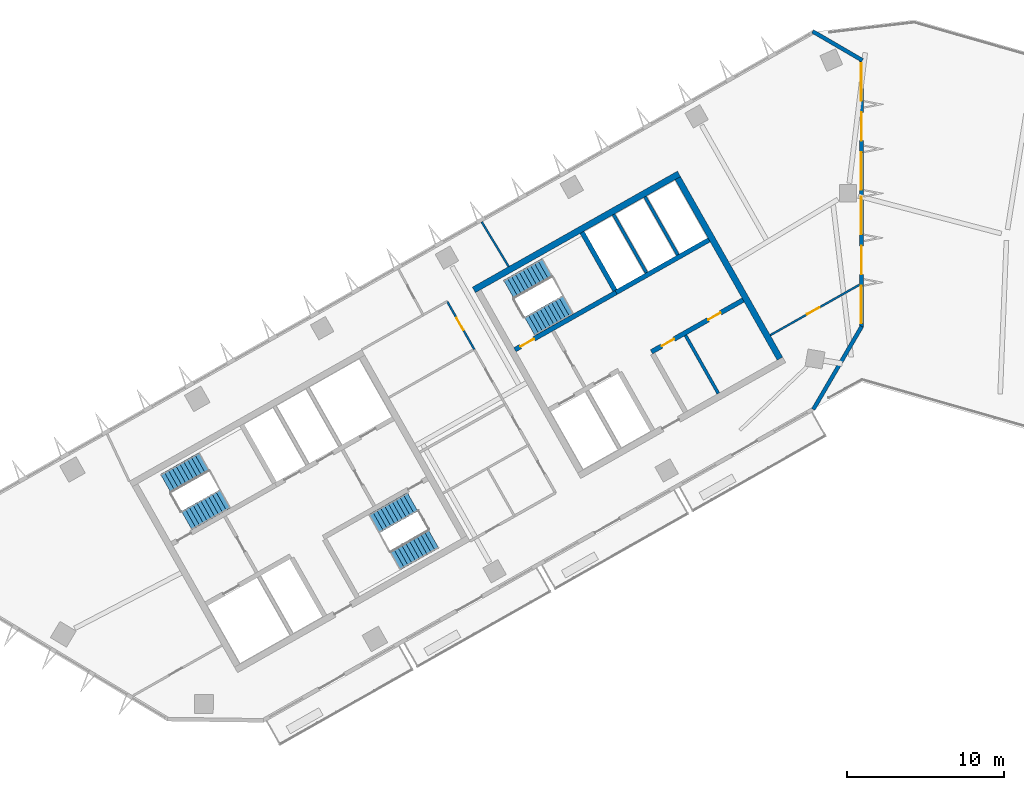
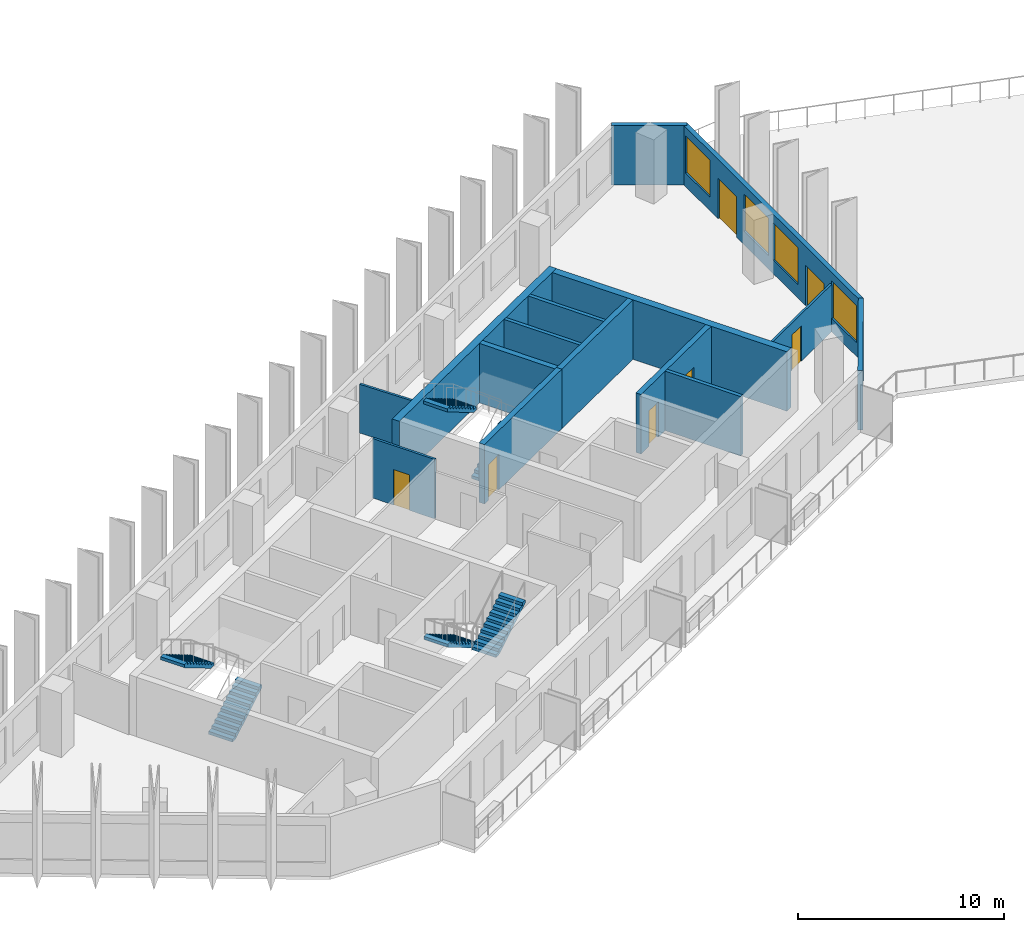
# One storey, part 5 of 8: 15 walls, 7 doors, 6 stair flights, 4 windows, 11 openings, 3 elements without a shape of their own.
"""IFC4 building model written with IfcOpenShell, lengths in metres."""

from ifc_helpers import new_model, si_unit, direction, frame, frame_2d, origin, place, context, subcontext, project, spatial, polyline, rectangle, outline, extrude, material, layer, layer_set, type_object, element, fill, aggregate, save


model = new_model("IFC4")

# Units and contexts
model_context = context("Model", 3, precision=1e-05, world=origin(), true_north=direction((0.0, 1.0)))
body_context = subcontext(model_context, "Body", "Model", "MODEL_VIEW")
ifc_project = project(units=[si_unit("LENGTHUNIT", "METRE"), si_unit("AREAUNIT", "SQUARE_METRE"), si_unit("VOLUMEUNIT", "CUBIC_METRE"), si_unit("PLANEANGLEUNIT", "RADIAN"), si_unit("MASSUNIT", "GRAM", prefix="KILO")], contexts=[model_context])

# Site, building, storey
site_placement = place(None, origin())
site = spatial("IfcSite", under=ifc_project, at=site_placement, CompositionType="ELEMENT")
building_placement = place(site_placement, origin())
building = spatial("IfcBuilding", under=site, at=building_placement, Name="Binnacle Exchange Tower", CompositionType="ELEMENT")
storey_placement = place(building_placement, frame((0.0, 0.0, 262.699951171875)))
storey = spatial("IfcBuildingStorey", under=building, at=storey_placement, Name="L58", CompositionType="ELEMENT", Elevation=262.699951171875)

# Wall
ifc_material_1 = material(Name="Gypsum partition fire rated")
ifc_layer_1 = layer(ifc_material_1, 0.199951171875)
ifc_layer_set_1 = layer_set([ifc_layer_1], Name="Core partition 200")
wall_type_1 = type_object("IfcWallType", Name="Core partition 200", PredefinedType="PARTITIONING", material=ifc_layer_set_1)
wall_1_placement = place(storey_placement, frame((-11.201904296875, 50.96240234375, 0.0), z_axis=(0.0, 0.0, 1.0), x_axis=(0.492441437811, -0.870345580977, 0.0)))
element("IfcWall", 1, at=wall_1_placement, inside=storey, type_object=wall_type_1, Name="Core wall CRWC19", PredefinedType="PARTITIONING", context=body_context, shape_type="SweptSolid", body=[
    extrude(rectangle(XDim=4.250244140625, YDim=0.199951171875, at=frame_2d((2.125, 0.0))), origin(), (0.0, 0.0, 1.0), 3.52001953125),
])

# Wall, openings, doors
ifc_material_2 = material(Name="Concrete C70/85", Category="concrete")
ifc_layer_2 = layer(ifc_material_2, 0.300048828125)
ifc_layer_set_2 = layer_set([ifc_layer_2], Name="Core wall - front 300")
wall_type_2 = type_object("IfcWallType", Name="Core wall - front 300", PredefinedType="SOLIDWALL", material=ifc_layer_set_2)
wall_2_placement = place(storey_placement, frame((-13.364501953125, 49.910888671875, 0.0), z_axis=(0.0, 0.0, 1.0), x_axis=(0.870347618718, 0.492437836272, 0.0)))
wall_2 = element("IfcWall", 2, at=wall_2_placement, inside=storey, type_object=wall_type_2, Name="Core wall CRWC3", PredefinedType="SOLIDWALL", context=body_context, shape_type="SweptSolid", body=[
    extrude(rectangle(XDim=6.699951171875, YDim=0.300048828125, at=frame_2d((3.35009765625, 0.0))), origin(), (0.0, 0.0, 1.0), 3.52001953125),
])
opening_1_placement = place(wall_2_placement, frame((0.75, 0.0, 0.0)))
opening_1 = element("IfcOpeningElement", 3, at=opening_1_placement, cuts=wall_2, Name="Opening DC18", PredefinedType="OPENING", context=body_context, shape_type="SweptSolid", body=[
    extrude(rectangle(XDim=0.89990234375, YDim=2.10009765625, at=frame_2d((0.449951171875, 1.050048828125))), frame((0.0, 0.159912109375, 0.0), z_axis=(0.0, -1.0, 0.0), x_axis=(1.0, 0.0, 0.0)), (0.0, 0.0, 1.0), 0.320068359375),
])
opening_2_placement = place(wall_2_placement, frame((4.14990234375, 0.0, 0.0)))
opening_2 = element("IfcOpeningElement", 4, at=opening_2_placement, cuts=wall_2, Name="Opening DC19", PredefinedType="OPENING", context=body_context, shape_type="SweptSolid", body=[
    extrude(rectangle(XDim=0.89990234375, YDim=2.10009765625, at=frame_2d((0.449951171875, 1.050048828125))), frame((0.0, 0.159912109375, 0.0), z_axis=(0.0, -1.0, 0.0), x_axis=(1.0, 0.0, 0.0)), (0.0, 0.0, 1.0), 0.320068359375),
])
ifc_material_3 = material(Name="Steel door leaf", Category="steel")
door_type_1 = type_object("IfcDoorType", Name="Fire door 900", OperationType="NOTDEFINED", PredefinedType="DOOR", material=ifc_material_3)
door_1_placement = place(opening_1_placement, frame((0.89990234375, 0.0, 0.0), z_axis=(0.0, 0.0, 1.0), x_axis=(-1.0, 0.0, 0.0)))
door_1 = element("IfcDoor", 5, at=door_1_placement, inside=storey, type_object=door_type_1, Name="Core room door FIBRE ENTRY ROOM", OperationType="SINGLE_SWING_RIGHT", OverallHeight=2.10009765625, OverallWidth=0.89990234375, PredefinedType="DOOR", context=body_context, shape_type="SweptSolid", body=[
    extrude(rectangle(XDim=0.89990234375, YDim=2.10009765625, at=frame_2d((0.449951171875, 1.050048828125))), frame((0.0, 0.02490234375, 0.0), z_axis=(0.0, -1.0, 0.0), x_axis=(1.0, 0.0, 0.0)), (0.0, 0.0, 1.0), 0.050048828125),
])
fill(opening_1, door_1)
door_2_placement = place(opening_2_placement, frame((0.89990234375, 0.0, 0.0), z_axis=(0.0, 0.0, 1.0), x_axis=(-1.0, 0.0, 0.0)))
door_2 = element("IfcDoor", 6, at=door_2_placement, inside=storey, type_object=door_type_1, Name="Core room door TELECOM RISER ROOM", OperationType="SINGLE_SWING_LEFT", OverallHeight=2.10009765625, OverallWidth=0.89990234375, PredefinedType="DOOR", context=body_context, shape_type="SweptSolid", body=[
    extrude(rectangle(XDim=0.89990234375, YDim=2.10009765625, at=frame_2d((0.449951171875, 1.050048828125))), frame((0.0, 0.02490234375, 0.0), z_axis=(0.0, -1.0, 0.0), x_axis=(1.0, 0.0, 0.0)), (0.0, 0.0, 1.0), 0.050048828125),
])
fill(opening_2, door_2)

# Walls
wall_3_placement = place(storey_placement, frame((-15.6181640625, 53.69140625, 0.0), z_axis=(0.0, 0.0, 1.0), x_axis=(0.870362830851, 0.492410948978, 0.0)))
element("IfcWall", 7, at=wall_3_placement, inside=storey, type_object=wall_type_2, Name="Core wall CRWC5", PredefinedType="SOLIDWALL", context=body_context, shape_type="SweptSolid", body=[
    extrude(rectangle(XDim=6.800048828125, YDim=0.300048828125, at=frame_2d((3.39990234375, 0.0))), origin(), (0.0, 0.0, 1.0), 3.52001953125),
])
ifc_layer_3 = layer(ifc_material_2, 0.39990234375)
ifc_layer_set_3 = layer_set([ifc_layer_3], Name="Core wall - outer 400")
wall_type_3 = type_object("IfcWallType", Name="Core wall - outer 400", PredefinedType="SOLIDWALL", material=ifc_layer_set_3)
wall_4_placement = place(storey_placement, frame((-24.672119140625, 53.85400390625, 0.0), z_axis=(0.0, 0.0, 1.0), x_axis=(0.870353598469, 0.492427267353, 0.0)))
element("IfcWall", 8, at=wall_4_placement, inside=storey, type_object=wall_type_3, Name="Core wall CRWC6", PredefinedType="SOLIDWALL", context=body_context, shape_type="SweptSolid", body=[
    extrude(rectangle(XDim=15.000244140625, YDim=0.39990234375, at=frame_2d((7.5, 0.0))), origin(), (0.0, 0.0, 1.0), 3.52001953125),
])
wall_5_placement = place(storey_placement, frame((-11.6923828125, 60.968017578125, 0.0), z_axis=(0.0, 0.0, 1.0), x_axis=(0.492421663121, -0.870356769198, 0.0)))
element("IfcWall", 9, at=wall_5_placement, inside=storey, type_object=wall_type_3, Name="Core wall CRWC24", PredefinedType="SOLIDWALL", context=body_context, shape_type="SweptSolid", body=[
    extrude(rectangle(XDim=13.199951171875, YDim=0.39990234375, at=frame_2d((6.60009765625, 0.0))), origin(), (0.0, 0.0, 1.0), 3.52001953125),
])

# Wall, opening, door
ifc_layer_4 = layer(ifc_material_2, 0.300048828125)
ifc_layer_set_4 = layer_set([ifc_layer_4], Name="Core wall - stair 300")
wall_type_4 = type_object("IfcWallType", Name="Core wall - stair 300", PredefinedType="SOLIDWALL", material=ifc_layer_set_4)
wall_6_placement = place(storey_placement, frame((-22.058837890625, 50.04736328125, 0.0), z_axis=(0.0, 0.0, 1.0), x_axis=(0.87035077051, 0.49243226567, 0.0)))
wall_6 = element("IfcWall", 10, at=wall_6_placement, inside=storey, type_object=wall_type_4, Name="Core wall CRWC4", PredefinedType="SOLIDWALL", context=body_context, shape_type="SweptSolid", body=[
    extrude(rectangle(XDim=7.400146484375, YDim=0.300048828125, at=frame_2d((3.7001953125, 0.0))), origin(), (0.0, 0.0, 1.0), 3.52001953125),
])
opening_3_placement = place(wall_6_placement, frame((0.39990234375, 0.0, 0.0)))
opening_3 = element("IfcOpeningElement", 11, at=opening_3_placement, cuts=wall_6, Name="Opening DC1", PredefinedType="OPENING", context=body_context, shape_type="SweptSolid", body=[
    extrude(rectangle(XDim=1.0, YDim=2.10009765625, at=frame_2d((0.5, 1.050048828125))), frame((0.0, 0.159912109375, 0.0), z_axis=(0.0, -1.0, 0.0), x_axis=(1.0, 0.0, 0.0)), (0.0, 0.0, 1.0), 0.320068359375),
])
door_type_2 = type_object("IfcDoorType", Name="Fire door 1000", OperationType="NOTDEFINED", PredefinedType="DOOR", material=ifc_material_3)
door_3_placement = place(opening_3_placement, origin())
door_3 = element("IfcDoor", 12, at=door_3_placement, inside=storey, type_object=door_type_2, Name="Stair door ST-C1", OperationType="SINGLE_SWING_LEFT", OverallHeight=2.10009765625, OverallWidth=1.0, PredefinedType="DOOR", context=body_context, shape_type="SweptSolid", body=[
    extrude(rectangle(XDim=1.0, YDim=2.10009765625, at=frame_2d((0.5, 1.050048828125))), frame((0.0, 0.02490234375, 0.0), z_axis=(0.0, -1.0, 0.0), x_axis=(1.0, 0.0, 0.0)), (0.0, 0.0, 1.0), 0.050048828125),
])
fill(opening_3, door_3)

# Walls
wall_7_placement = place(storey_placement, frame((-17.784912109375, 57.52099609375, 0.0), z_axis=(0.0, 0.0, 1.0), x_axis=(0.492422543467, -0.870356271124, 0.0)))
element("IfcWall", 13, at=wall_7_placement, inside=storey, type_object=wall_type_4, Name="Core wall CRWC14", PredefinedType="SOLIDWALL", context=body_context, shape_type="SweptSolid", body=[
    extrude(rectangle(XDim=4.25, YDim=0.300048828125, at=frame_2d((2.125, 0.0))), origin(), (0.0, 0.0, 1.0), 3.52001953125),
])
ifc_material_4 = material(Name="Bronze aluminium cladding", Category="aluminium")
ifc_layer_5 = layer(ifc_material_4, 0.25)
ifc_layer_set_5 = layer_set([ifc_layer_5], Name="External wall - window wall 250")
wall_type_5 = type_object("IfcWallType", Name="External wall - window wall 250", PredefinedType="STANDARD", material=ifc_layer_set_5)
wall_8_placement = place(storey_placement, frame((0.01708984375, 51.529296875, 0.0), z_axis=(0.0, 0.0, 1.0), x_axis=(-0.503769237131, -0.863838269424, 0.0)))
element("IfcWall", 14, at=wall_8_placement, inside=storey, type_object=wall_type_5, Name="External wall EW-H00 L58", PredefinedType="STANDARD", context=body_context, shape_type="SweptSolid", body=[
    extrude(rectangle(XDim=6.114501953125, YDim=0.25, at=frame_2d((3.05712890625, 0.0))), origin(), (0.0, 0.0, 1.0), 3.52001953125),
])

# Wall, openings, doors, windows
wall_9_placement = place(storey_placement, frame((0.0, 68.57177734375, 0.0), z_axis=(0.0, 0.0, 1.0), x_axis=(0.0, -1.0, 0.0)))
wall_9 = element("IfcWall", 15, at=wall_9_placement, inside=storey, type_object=wall_type_5, Name="External wall EW-H01 L58", PredefinedType="STANDARD", context=body_context, shape_type="SweptSolid", body=[
    extrude(rectangle(XDim=17.10546875, YDim=0.25, at=frame_2d((8.552734375, 0.0))), origin(), (0.0, 0.0, 1.0), 3.52001953125),
])
opening_4_placement = place(wall_9_placement, frame((14.455078125, 0.0, 0.800048828125)))
opening_4 = element("IfcOpeningElement", 16, at=opening_4_placement, cuts=wall_9, Name="Opening WR2", PredefinedType="OPENING", context=body_context, shape_type="SweptSolid", body=[
    extrude(rectangle(XDim=2.39990234375, YDim=2.199951171875, at=frame_2d((1.199951171875, 1.10009765625))), frame((0.0, 0.135009765625, 0.0), z_axis=(0.0, -1.0, 0.0), x_axis=(1.0, 0.0, 0.0)), (0.0, 0.0, 1.0), 0.27001953125),
])
opening_5_placement = place(wall_9_placement, frame((11.921875, 0.0, 0.0)))
opening_5 = element("IfcOpeningElement", 17, at=opening_5_placement, cuts=wall_9, Name="Opening D-FS17-01", PredefinedType="OPENING", context=body_context, shape_type="SweptSolid", body=[
    extrude(rectangle(XDim=1.800048828125, YDim=2.39990234375, at=frame_2d((0.89990234375, 1.199951171875))), frame((0.0, 0.135009765625, 0.0), z_axis=(0.0, -1.0, 0.0), x_axis=(1.0, 0.0, 0.0)), (0.0, 0.0, 1.0), 0.27001953125),
])
opening_6_placement = place(wall_9_placement, frame((8.78857421875, 0.0, 0.800048828125)))
opening_6 = element("IfcOpeningElement", 18, at=opening_6_placement, cuts=wall_9, Name="Opening WR2", PredefinedType="OPENING", context=body_context, shape_type="SweptSolid", body=[
    extrude(rectangle(XDim=2.39990234375, YDim=2.199951171875, at=frame_2d((1.199951171875, 1.10009765625))), frame((0.0, 0.135009765625, 0.0), z_axis=(0.0, -1.0, 0.0), x_axis=(1.0, 0.0, 0.0)), (0.0, 0.0, 1.0), 0.27001953125),
])
opening_7_placement = place(wall_9_placement, frame((5.955078125, 0.0, 0.800048828125)))
opening_7 = element("IfcOpeningElement", 19, at=opening_7_placement, cuts=wall_9, Name="Opening WR2", PredefinedType="OPENING", context=body_context, shape_type="SweptSolid", body=[
    extrude(rectangle(XDim=2.39990234375, YDim=2.199951171875, at=frame_2d((1.199951171875, 1.10009765625))), frame((0.0, 0.135009765625, 0.0), z_axis=(0.0, -1.0, 0.0), x_axis=(1.0, 0.0, 0.0)), (0.0, 0.0, 1.0), 0.27001953125),
])
opening_8_placement = place(wall_9_placement, frame((3.421875, 0.0, 0.0)))
opening_8 = element("IfcOpeningElement", 20, at=opening_8_placement, cuts=wall_9, Name="Opening D-FS17-02", PredefinedType="OPENING", context=body_context, shape_type="SweptSolid", body=[
    extrude(rectangle(XDim=1.800048828125, YDim=2.39990234375, at=frame_2d((0.89990234375, 1.199951171875))), frame((0.0, 0.135009765625, 0.0), z_axis=(0.0, -1.0, 0.0), x_axis=(1.0, 0.0, 0.0)), (0.0, 0.0, 1.0), 0.27001953125),
])
opening_9_placement = place(wall_9_placement, frame((0.28857421875, 0.0, 0.800048828125)))
opening_9 = element("IfcOpeningElement", 21, at=opening_9_placement, cuts=wall_9, Name="Opening WR2", PredefinedType="OPENING", context=body_context, shape_type="SweptSolid", body=[
    extrude(rectangle(XDim=2.39990234375, YDim=2.199951171875, at=frame_2d((1.199951171875, 1.10009765625))), frame((0.0, 0.135009765625, 0.0), z_axis=(0.0, -1.0, 0.0), x_axis=(1.0, 0.0, 0.0)), (0.0, 0.0, 1.0), 0.27001953125),
])
ifc_material_5 = material(Name="Bronze anodised aluminium frame", Category="aluminium")
door_type_3 = type_object("IfcDoorType", Name="DT DOOR 1800x2400", OperationType="DOUBLE_DOOR_SINGLE_SWING", PredefinedType="DOOR", material=ifc_material_5)
door_4_placement = place(opening_5_placement, origin())
door_4 = element("IfcDoor", 22, at=door_4_placement, inside=storey, type_object=door_type_3, Name="Door D-FS17-01 L58", OperationType="DOUBLE_DOOR_SINGLE_SWING", OverallHeight=2.39990234375, OverallWidth=1.800048828125, PredefinedType="DOOR", context=body_context, shape_type="SweptSolid", body=[
    extrude(rectangle(XDim=1.800048828125, YDim=2.39990234375, at=frame_2d((0.89990234375, 1.199951171875))), frame((0.0, 0.02490234375, 0.0), z_axis=(0.0, -1.0, 0.0), x_axis=(1.0, 0.0, 0.0)), (0.0, 0.0, 1.0), 0.050048828125),
])
fill(opening_5, door_4)
door_5_placement = place(opening_8_placement, origin())
door_5 = element("IfcDoor", 23, at=door_5_placement, inside=storey, type_object=door_type_3, Name="Door D-FS17-02 L58", OperationType="DOUBLE_DOOR_SINGLE_SWING", OverallHeight=2.39990234375, OverallWidth=1.800048828125, PredefinedType="DOOR", context=body_context, shape_type="SweptSolid", body=[
    extrude(rectangle(XDim=1.800048828125, YDim=2.39990234375, at=frame_2d((0.89990234375, 1.199951171875))), frame((0.0, 0.02490234375, 0.0), z_axis=(0.0, -1.0, 0.0), x_axis=(1.0, 0.0, 0.0)), (0.0, 0.0, 1.0), 0.050048828125),
])
fill(opening_8, door_5)
window_type = type_object("IfcWindowType", Name="WR2 WINDOW 2400x2200", PartitioningType="SINGLE_PANEL", PredefinedType="WINDOW", material=ifc_material_5)
window_1_placement = place(opening_4_placement, origin())
window_1 = element("IfcWindow", 24, at=window_1_placement, inside=storey, type_object=window_type, Name="Window WR2 L58", OverallHeight=2.199951171875, OverallWidth=2.39990234375, PartitioningType="SINGLE_PANEL", PredefinedType="WINDOW", context=body_context, shape_type="SweptSolid", body=[
    extrude(rectangle(XDim=2.39990234375, YDim=2.199951171875, at=frame_2d((1.199951171875, 1.10009765625))), frame((0.0, 0.030029296875, 0.0), z_axis=(0.0, -1.0, 0.0), x_axis=(1.0, 0.0, 0.0)), (0.0, 0.0, 1.0), 0.06005859375),
])
fill(opening_4, window_1)
window_2_placement = place(opening_6_placement, origin())
window_2 = element("IfcWindow", 25, at=window_2_placement, inside=storey, type_object=window_type, Name="Window WR2 L58", OverallHeight=2.199951171875, OverallWidth=2.39990234375, PartitioningType="SINGLE_PANEL", PredefinedType="WINDOW", context=body_context, shape_type="SweptSolid", body=[
    extrude(rectangle(XDim=2.39990234375, YDim=2.199951171875, at=frame_2d((1.199951171875, 1.10009765625))), frame((0.0, 0.030029296875, 0.0), z_axis=(0.0, -1.0, 0.0), x_axis=(1.0, 0.0, 0.0)), (0.0, 0.0, 1.0), 0.06005859375),
])
fill(opening_6, window_2)
window_3_placement = place(opening_7_placement, origin())
window_3 = element("IfcWindow", 26, at=window_3_placement, inside=storey, type_object=window_type, Name="Window WR2 L58", OverallHeight=2.199951171875, OverallWidth=2.39990234375, PartitioningType="SINGLE_PANEL", PredefinedType="WINDOW", context=body_context, shape_type="SweptSolid", body=[
    extrude(rectangle(XDim=2.39990234375, YDim=2.199951171875, at=frame_2d((1.199951171875, 1.10009765625))), frame((0.0, 0.030029296875, 0.0), z_axis=(0.0, -1.0, 0.0), x_axis=(1.0, 0.0, 0.0)), (0.0, 0.0, 1.0), 0.06005859375),
])
fill(opening_7, window_3)
window_4_placement = place(opening_9_placement, origin())
window_4 = element("IfcWindow", 27, at=window_4_placement, inside=storey, type_object=window_type, Name="Window WR2 L58", OverallHeight=2.199951171875, OverallWidth=2.39990234375, PartitioningType="SINGLE_PANEL", PredefinedType="WINDOW", context=body_context, shape_type="SweptSolid", body=[
    extrude(rectangle(XDim=2.39990234375, YDim=2.199951171875, at=frame_2d((1.199951171875, 1.10009765625))), frame((0.0, 0.030029296875, 0.0), z_axis=(0.0, -1.0, 0.0), x_axis=(1.0, 0.0, 0.0)), (0.0, 0.0, 1.0), 0.06005859375),
])
fill(opening_9, window_4)

# Wall
wall_10_placement = place(storey_placement, frame((-3.108154296875, 70.312744140625, 0.0), z_axis=(0.0, 0.0, 1.0), x_axis=(0.86382474085, -0.503792434536, 0.0)))
element("IfcWall", 28, at=wall_10_placement, inside=storey, type_object=wall_type_5, Name="External wall EW-H02 L58", PredefinedType="STANDARD", context=body_context, shape_type="SweptSolid", body=[
    extrude(rectangle(XDim=3.669921875, YDim=0.25, at=frame_2d((1.8349609375, 0.0))), origin(), (0.0, 0.0, 1.0), 3.52001953125),
])

# Wall, opening, door
ifc_material_6 = material(Name="Gypsum partition")
ifc_layer_6 = layer(ifc_material_6, 0.125)
ifc_layer_set_6 = layer_set([ifc_layer_6], Name="Partition 125")
wall_type_6 = type_object("IfcWallType", Name="Partition 125", PredefinedType="PARTITIONING", material=ifc_layer_set_6)
wall_11_placement = place(storey_placement, frame((-26.373046875, 53.1220703125, 0.0), z_axis=(0.0, 0.0, 1.0), x_axis=(0.492454723656, -0.870338063714, 0.0)))
wall_11 = element("IfcWall", 29, at=wall_11_placement, inside=storey, type_object=wall_type_6, Name="Partition W09", PredefinedType="PARTITIONING", context=body_context, shape_type="SweptSolid", body=[
    extrude(rectangle(XDim=3.5009765625, YDim=0.125, at=frame_2d((1.75048828125, 0.0))), origin(), (0.0, 0.0, 1.0), 3.52001953125),
])
opening_10_placement = place(wall_11_placement, frame((1.199951171875, 0.0, 0.0)))
opening_10 = element("IfcOpeningElement", 30, at=opening_10_placement, cuts=wall_11, Name="Opening DL58-07", PredefinedType="OPENING", context=body_context, shape_type="SweptSolid", body=[
    extrude(rectangle(XDim=0.89990234375, YDim=2.10009765625, at=frame_2d((0.449951171875, 1.050048828125))), frame((0.0, 0.072509765625, 0.0), z_axis=(0.0, -1.0, 0.0), x_axis=(1.0, 0.0, 0.0)), (0.0, 0.0, 1.0), 0.14501953125),
])
ifc_material_7 = material(Name="Timber door leaf", Category="wood")
door_type_4 = type_object("IfcDoorType", Name="Door 900", OperationType="NOTDEFINED", PredefinedType="DOOR", material=ifc_material_7)
door_6_placement = place(opening_10_placement, frame((0.89990234375, 0.0, 0.0), z_axis=(0.0, 0.0, 1.0), x_axis=(-1.0, 0.0, 0.0)))
door_6 = element("IfcDoor", 31, at=door_6_placement, inside=storey, type_object=door_type_4, Name="Door DL58-07", OperationType="SINGLE_SWING_RIGHT", OverallHeight=2.10009765625, OverallWidth=0.89990234375, PredefinedType="DOOR", context=body_context, shape_type="SweptSolid", body=[
    extrude(rectangle(XDim=0.89990234375, YDim=2.10009765625, at=frame_2d((0.449951171875, 1.050048828125))), frame((0.0, 0.02490234375, 0.0), z_axis=(0.0, -1.0, 0.0), x_axis=(1.0, 0.0, 0.0)), (0.0, 0.0, 1.0), 0.050048828125),
])
fill(opening_10, door_6)

# Wall
wall_12_placement = place(storey_placement, frame((-24.1708984375, 58.180908203125, 0.0), z_axis=(0.0, 0.0, 1.0), x_axis=(0.516494881882, -0.856290276127, 0.0)))
element("IfcWall", 32, at=wall_12_placement, inside=storey, type_object=wall_type_6, Name="Partition W12", PredefinedType="PARTITIONING", context=body_context, shape_type="SweptSolid", body=[
    extrude(rectangle(XDim=3.320068359375, YDim=0.125, at=frame_2d((1.66015625, 0.0))), origin(), (0.0, 0.0, 1.0), 2.887939453125),
])

# Wall, opening, door
wall_13_placement = place(storey_placement, frame((-5.805908203125, 50.969970703125, 0.0), z_axis=(0.0, 0.0, 1.0), x_axis=(0.870355163327, 0.492424501492, 0.0)))
wall_13 = element("IfcWall", 33, at=wall_13_placement, inside=storey, type_object=wall_type_6, Name="Partition W18", PredefinedType="PARTITIONING", context=body_context, shape_type="SweptSolid", body=[
    extrude(rectangle(XDim=6.527099609375, YDim=0.125, at=frame_2d((3.263671875, 0.0))), origin(), (0.0, 0.0, 1.0), 2.800048828125),
])
opening_11_placement = place(wall_13_placement, frame((2.699951171875, 0.0, 0.0)))
opening_11 = element("IfcOpeningElement", 34, at=opening_11_placement, cuts=wall_13, Name="Opening DL58-08", PredefinedType="OPENING", context=body_context, shape_type="SweptSolid", body=[
    extrude(rectangle(XDim=0.89990234375, YDim=2.10009765625, at=frame_2d((0.449951171875, 1.050048828125))), frame((0.0, 0.072509765625, 0.0), z_axis=(0.0, -1.0, 0.0), x_axis=(1.0, 0.0, 0.0)), (0.0, 0.0, 1.0), 0.14501953125),
])
door_7_placement = place(opening_11_placement, origin())
door_7 = element("IfcDoor", 35, at=door_7_placement, inside=storey, type_object=door_type_4, Name="Door DL58-08", OperationType="SINGLE_SWING_LEFT", OverallHeight=2.10009765625, OverallWidth=0.89990234375, PredefinedType="DOOR", context=body_context, shape_type="SweptSolid", body=[
    extrude(rectangle(XDim=0.89990234375, YDim=2.10009765625, at=frame_2d((0.449951171875, 1.050048828125))), frame((0.0, 0.02490234375, 0.0), z_axis=(0.0, -1.0, 0.0), x_axis=(1.0, 0.0, 0.0)), (0.0, 0.0, 1.0), 0.050048828125),
])
fill(opening_11, door_7)

# Walls
ifc_material_8 = material(Name="Masonry block wall", Category="masonry")
ifc_layer_7 = layer(ifc_material_8, 0.199951171875)
ifc_layer_set_7 = layer_set([ifc_layer_7], Name="Shaft wall 200")
wall_type_7 = type_object("IfcWallType", Name="Shaft wall 200", PredefinedType="SOLIDWALL", material=ifc_layer_set_7)
wall_14_placement = place(storey_placement, frame((-15.783203125, 58.653564453125, 0.0), z_axis=(0.0, 0.0, 1.0), x_axis=(0.492441437811, -0.870345580977, 0.0)))
element("IfcWall", 36, at=wall_14_placement, inside=storey, type_object=wall_type_7, Name="Core wall CRWC18", PredefinedType="SOLIDWALL", context=body_context, shape_type="SweptSolid", body=[
    extrude(rectangle(XDim=4.250244140625, YDim=0.199951171875, at=frame_2d((2.125, 0.0))), origin(), (0.0, 0.0, 1.0), 3.52001953125),
])
wall_15_placement = place(storey_placement, frame((-13.78125, 59.785888671875, 0.0), z_axis=(0.0, 0.0, 1.0), x_axis=(0.492422543467, -0.870356271124, 0.0)))
element("IfcWall", 37, at=wall_15_placement, inside=storey, type_object=wall_type_7, Name="Core wall CRWC21", PredefinedType="SOLIDWALL", context=body_context, shape_type="SweptSolid", body=[
    extrude(rectangle(XDim=4.25, YDim=0.199951171875, at=frame_2d((2.125, 0.0))), origin(), (0.0, 0.0, 1.0), 3.52001953125),
])

# Stair, stair flights
ifc_material_9 = material(Name="Concrete C35/45", Category="concrete")
stair_type = type_object("IfcStairType", Name="STAIR 22 RISERS 173", PredefinedType="HALF_TURN_STAIR", material=ifc_material_9)
stair_1_placement = place(storey_placement, origin())
stair_1 = element("IfcStair", 38, at=stair_1_placement, inside=storey, type_object=stair_type, Name="L58 Escape stair A1", PredefinedType="HALF_TURN_STAIR")
stair_flight_type = type_object("IfcStairFlightType", Name="STAIR FLIGHT 173X280", PredefinedType="STRAIGHT", material=ifc_material_9)
stair_flight_1_placement = place(storey_placement, frame((-42.9541015625, 39.17333984375, 0.0), z_axis=(0.0, 0.0, 1.0), x_axis=(0.870355584213, 0.492423757581, 0.0)))
stair_flight_1 = element("IfcStairFlight", 39, at=stair_flight_1_placement, type_object=stair_flight_type, Name="STA1 flight 1", NumberOfRisers=11, NumberOfTreads=10, PredefinedType="STRAIGHT", RiserHeight=0.172727273, TreadLength=0.28, context=body_context, shape_type="SweptSolid", body=[
    extrude(outline(polyline([(0.0, 0.0), (0.0, 0.172607421875), (0.280029296875, 0.172607421875), (0.280029296875, 0.345458984375), (0.56005859375, 0.345458984375), (0.56005859375, 0.51806640625), (0.840087890625, 0.51806640625), (0.840087890625, 0.69091796875), (1.1201171875, 0.69091796875), (1.1201171875, 0.863525390625), (1.39990234375, 0.863525390625), (1.39990234375, 1.036376953125), (1.679931640625, 1.036376953125), (1.679931640625, 1.208984375), (1.9599609375, 1.208984375), (1.9599609375, 1.3818359375), (2.239990234375, 1.3818359375), (2.239990234375, 1.554443359375), (2.52001953125, 1.554443359375), (2.52001953125, 1.727294921875), (2.800048828125, 1.727294921875), (2.800048828125, 1.89990234375), (2.800048828125, 1.551025390625), (0.285400390625, 0.0), (0.0, 0.0)])), frame((0.0, 0.675048828125, 0.0), z_axis=(0.0, -1.0, 0.0), x_axis=(1.0, 0.0, 0.0)), (0.0, 0.0, 1.0), 1.35009765625),
])
stair_flight_2_placement = place(storey_placement, frame((-41.846435546875, 42.902099609375, 1.900146484375), z_axis=(0.0, 0.0, 1.0), x_axis=(-0.870355584213, -0.492423757581, 0.0)))
stair_flight_2 = element("IfcStairFlight", 40, at=stair_flight_2_placement, type_object=stair_flight_type, Name="STA1 flight 2", NumberOfRisers=11, NumberOfTreads=10, PredefinedType="STRAIGHT", RiserHeight=0.172727273, TreadLength=0.28, context=body_context, shape_type="SweptSolid", body=[
    extrude(outline(polyline([(0.0, 0.0), (0.0, 0.172607421875), (0.280029296875, 0.172607421875), (0.280029296875, 0.345458984375), (0.56005859375, 0.345458984375), (0.56005859375, 0.51806640625), (0.840087890625, 0.51806640625), (0.840087890625, 0.69091796875), (1.1201171875, 0.69091796875), (1.1201171875, 0.863525390625), (1.39990234375, 0.863525390625), (1.39990234375, 1.036376953125), (1.679931640625, 1.036376953125), (1.679931640625, 1.208984375), (1.9599609375, 1.208984375), (1.9599609375, 1.3818359375), (2.239990234375, 1.3818359375), (2.239990234375, 1.554443359375), (2.52001953125, 1.554443359375), (2.52001953125, 1.727294921875), (2.800048828125, 1.727294921875), (2.800048828125, 1.89990234375), (2.800048828125, 1.551025390625), (0.285400390625, 0.0), (0.0, 0.0)])), frame((0.0, 0.675048828125, 0.0), z_axis=(0.0, -1.0, 0.0), x_axis=(1.0, 0.0, 0.0)), (0.0, 0.0, 1.0), 1.35009765625),
])
aggregate(stair_1, [stair_flight_1, stair_flight_2])

stair_2_placement = place(storey_placement, origin())
stair_2 = element("IfcStair", 41, at=stair_2_placement, inside=storey, type_object=stair_type, Name="L58 Escape stair A2", PredefinedType="HALF_TURN_STAIR")
stair_flight_3_placement = place(storey_placement, frame((-28.5732421875, 40.3583984375, 0.0), z_axis=(0.0, 0.0, 1.0), x_axis=(-0.870355584213, -0.492423757581, 0.0)))
stair_flight_3 = element("IfcStairFlight", 42, at=stair_flight_3_placement, type_object=stair_flight_type, Name="STA2 flight 1", NumberOfRisers=11, NumberOfTreads=10, PredefinedType="STRAIGHT", RiserHeight=0.172727273, TreadLength=0.28, context=body_context, shape_type="SweptSolid", body=[
    extrude(outline(polyline([(0.0, 0.0), (0.0, 0.172607421875), (0.280029296875, 0.172607421875), (0.280029296875, 0.345458984375), (0.56005859375, 0.345458984375), (0.56005859375, 0.51806640625), (0.840087890625, 0.51806640625), (0.840087890625, 0.69091796875), (1.1201171875, 0.69091796875), (1.1201171875, 0.863525390625), (1.39990234375, 0.863525390625), (1.39990234375, 1.036376953125), (1.679931640625, 1.036376953125), (1.679931640625, 1.208984375), (1.9599609375, 1.208984375), (1.9599609375, 1.3818359375), (2.239990234375, 1.3818359375), (2.239990234375, 1.554443359375), (2.52001953125, 1.554443359375), (2.52001953125, 1.727294921875), (2.800048828125, 1.727294921875), (2.800048828125, 1.89990234375), (2.800048828125, 1.551025390625), (0.285400390625, 0.0), (0.0, 0.0)])), frame((0.0, 0.675048828125, 0.0), z_axis=(0.0, -1.0, 0.0), x_axis=(1.0, 0.0, 0.0)), (0.0, 0.0, 1.0), 1.35009765625),
])
stair_flight_4_placement = place(storey_placement, frame((-29.6806640625, 36.629638671875, 1.900146484375), z_axis=(0.0, 0.0, 1.0), x_axis=(0.870355584213, 0.492423757581, 0.0)))
stair_flight_4 = element("IfcStairFlight", 43, at=stair_flight_4_placement, type_object=stair_flight_type, Name="STA2 flight 2", NumberOfRisers=11, NumberOfTreads=10, PredefinedType="STRAIGHT", RiserHeight=0.172727273, TreadLength=0.28, context=body_context, shape_type="SweptSolid", body=[
    extrude(outline(polyline([(0.0, 0.0), (0.0, 0.172607421875), (0.280029296875, 0.172607421875), (0.280029296875, 0.345458984375), (0.56005859375, 0.345458984375), (0.56005859375, 0.51806640625), (0.840087890625, 0.51806640625), (0.840087890625, 0.69091796875), (1.1201171875, 0.69091796875), (1.1201171875, 0.863525390625), (1.39990234375, 0.863525390625), (1.39990234375, 1.036376953125), (1.679931640625, 1.036376953125), (1.679931640625, 1.208984375), (1.9599609375, 1.208984375), (1.9599609375, 1.3818359375), (2.239990234375, 1.3818359375), (2.239990234375, 1.554443359375), (2.52001953125, 1.554443359375), (2.52001953125, 1.727294921875), (2.800048828125, 1.727294921875), (2.800048828125, 1.89990234375), (2.800048828125, 1.551025390625), (0.285400390625, 0.0), (0.0, 0.0)])), frame((0.0, 0.675048828125, 0.0), z_axis=(0.0, -1.0, 0.0), x_axis=(1.0, 0.0, 0.0)), (0.0, 0.0, 1.0), 1.35009765625),
])
aggregate(stair_2, [stair_flight_3, stair_flight_4])

stair_3_placement = place(storey_placement, origin())
stair_3 = element("IfcStair", 44, at=stair_3_placement, inside=storey, type_object=stair_type, Name="L58 Escape stair C1", PredefinedType="HALF_TURN_STAIR")
stair_flight_5_placement = place(storey_placement, frame((-21.115966796875, 51.528564453125, 0.0), z_axis=(0.0, 0.0, 1.0), x_axis=(0.870355584213, 0.492423757581, 0.0)))
stair_flight_5 = element("IfcStairFlight", 45, at=stair_flight_5_placement, type_object=stair_flight_type, Name="STC1 flight 1", NumberOfRisers=11, NumberOfTreads=10, PredefinedType="STRAIGHT", RiserHeight=0.172727273, TreadLength=0.28, context=body_context, shape_type="SweptSolid", body=[
    extrude(outline(polyline([(0.0, 0.0), (0.0, 0.172607421875), (0.280029296875, 0.172607421875), (0.280029296875, 0.345458984375), (0.56005859375, 0.345458984375), (0.56005859375, 0.51806640625), (0.840087890625, 0.51806640625), (0.840087890625, 0.69091796875), (1.1201171875, 0.69091796875), (1.1201171875, 0.863525390625), (1.39990234375, 0.863525390625), (1.39990234375, 1.036376953125), (1.679931640625, 1.036376953125), (1.679931640625, 1.208984375), (1.9599609375, 1.208984375), (1.9599609375, 1.3818359375), (2.239990234375, 1.3818359375), (2.239990234375, 1.554443359375), (2.52001953125, 1.554443359375), (2.52001953125, 1.727294921875), (2.800048828125, 1.727294921875), (2.800048828125, 1.89990234375), (2.800048828125, 1.551025390625), (0.285400390625, 0.0), (0.0, 0.0)])), frame((0.0, 0.675048828125, 0.0), z_axis=(0.0, -1.0, 0.0), x_axis=(1.0, 0.0, 0.0)), (0.0, 0.0, 1.0), 1.35009765625),
])
stair_flight_6_placement = place(storey_placement, frame((-20.008544921875, 55.25732421875, 1.900146484375), z_axis=(0.0, 0.0, 1.0), x_axis=(-0.870355584213, -0.492423757581, 0.0)))
stair_flight_6 = element("IfcStairFlight", 46, at=stair_flight_6_placement, type_object=stair_flight_type, Name="STC1 flight 2", NumberOfRisers=11, NumberOfTreads=10, PredefinedType="STRAIGHT", RiserHeight=0.172727273, TreadLength=0.28, context=body_context, shape_type="SweptSolid", body=[
    extrude(outline(polyline([(0.0, 0.0), (0.0, 0.172607421875), (0.280029296875, 0.172607421875), (0.280029296875, 0.345458984375), (0.56005859375, 0.345458984375), (0.56005859375, 0.51806640625), (0.840087890625, 0.51806640625), (0.840087890625, 0.69091796875), (1.1201171875, 0.69091796875), (1.1201171875, 0.863525390625), (1.39990234375, 0.863525390625), (1.39990234375, 1.036376953125), (1.679931640625, 1.036376953125), (1.679931640625, 1.208984375), (1.9599609375, 1.208984375), (1.9599609375, 1.3818359375), (2.239990234375, 1.3818359375), (2.239990234375, 1.554443359375), (2.52001953125, 1.554443359375), (2.52001953125, 1.727294921875), (2.800048828125, 1.727294921875), (2.800048828125, 1.89990234375), (2.800048828125, 1.551025390625), (0.285400390625, 0.0), (0.0, 0.0)])), frame((0.0, 0.675048828125, 0.0), z_axis=(0.0, -1.0, 0.0), x_axis=(1.0, 0.0, 0.0)), (0.0, 0.0, 1.0), 1.35009765625),
])
aggregate(stair_3, [stair_flight_5, stair_flight_6])

save(model, "model.ifc")
